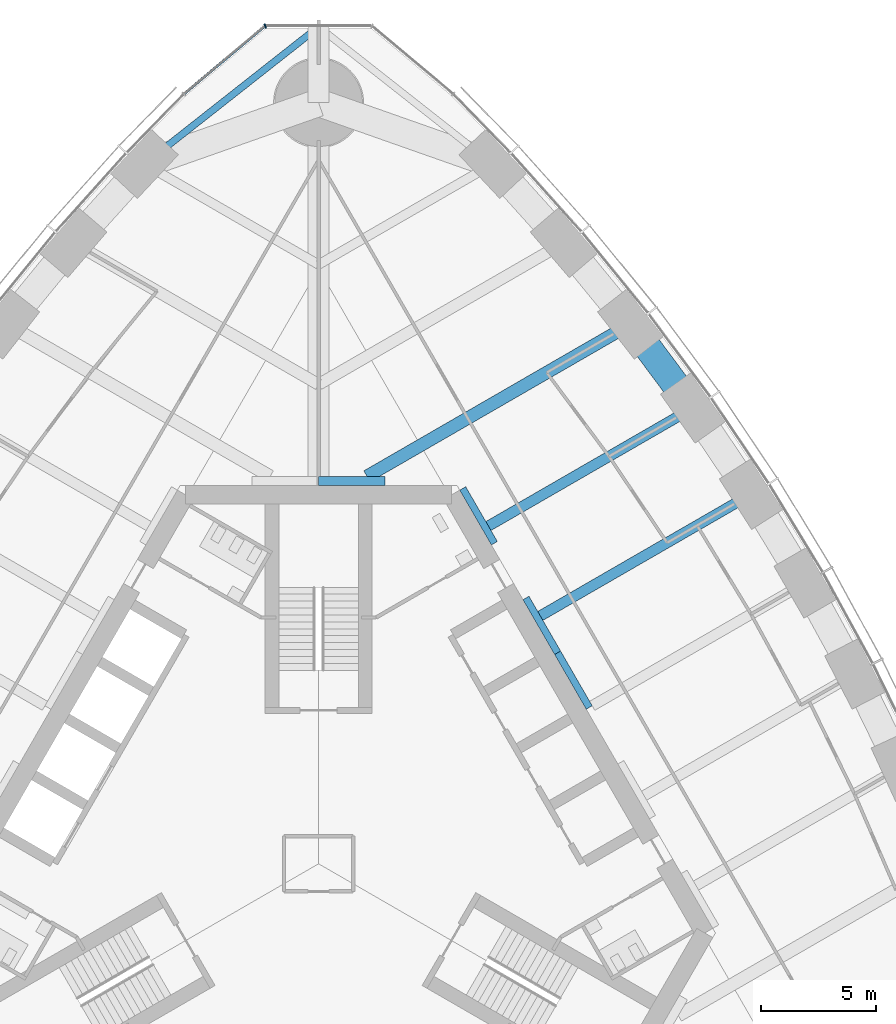
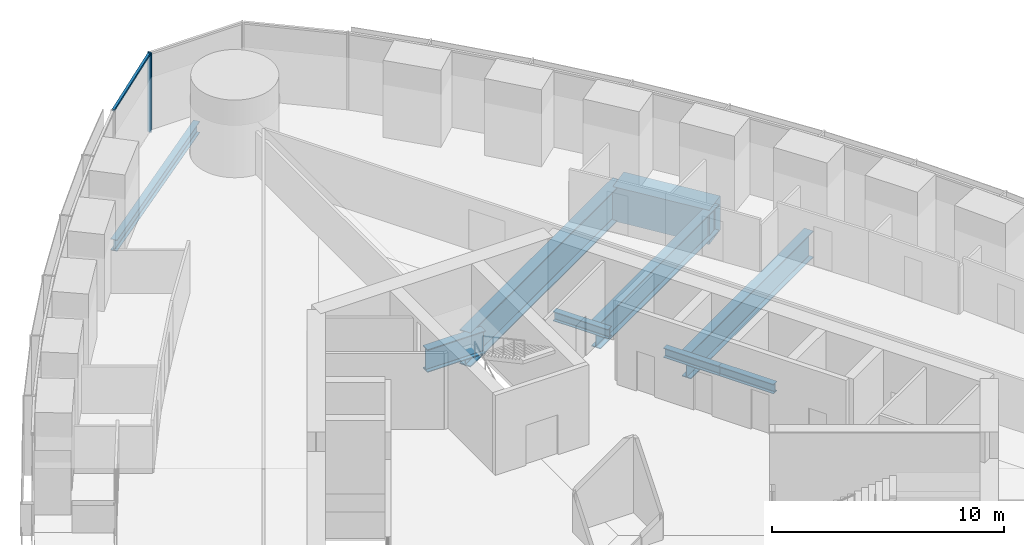
# One storey, part 6 of 19: 9 beams, 2 members, 1 element without a shape of its own.
"""IFC4 building model written with IfcOpenShell, lengths in metres."""

from ifc_helpers import new_model, si_unit, direction, frame, origin, origin_2d, place, context, subcontext, project, spatial, rectangle, i_section, extrude, material, material_profile, profile_set, type_object, element, aggregate, save


model = new_model("IFC4")

# Units and contexts
model_context = context("Model", 3, precision=1e-05, world=origin(), true_north=direction((0.0, 1.0)))
body_context = subcontext(model_context, "Body", "Model", "MODEL_VIEW")
ifc_project = project(units=[si_unit("LENGTHUNIT", "METRE"), si_unit("AREAUNIT", "SQUARE_METRE"), si_unit("VOLUMEUNIT", "CUBIC_METRE"), si_unit("PLANEANGLEUNIT", "RADIAN"), si_unit("MASSUNIT", "GRAM", prefix="KILO")], contexts=[model_context])

# Site, building, storey
site_placement = place(None, origin())
site = spatial("IfcSite", under=ifc_project, at=site_placement, CompositionType="ELEMENT")
building_placement = place(site_placement, origin())
building = spatial("IfcBuilding", under=site, at=building_placement, Name="Trefoil Bronze Tower", CompositionType="ELEMENT")
storey_placement = place(building_placement, frame((0.0, 0.0, 189.699951171875)))
storey = spatial("IfcBuildingStorey", under=building, at=storey_placement, Name="L43", CompositionType="ELEMENT", Elevation=189.699951171875)

# Curtain wall, members
ifc_material_1 = material(Name="Tinted solar-control glass", Category="glass")
curtain_wall_type = type_object("IfcCurtainWallType", Name="Bronze rounded corner curtain wall", PredefinedType="USERDEFINED", material=ifc_material_1)
curtain_wall_placement = place(storey_placement, origin())
curtain_wall = element("IfcCurtainWall", 1, at=curtain_wall_placement, inside=storey, type_object=curtain_wall_type, Name="CW-B L43 K2", ObjectType="CURTAIN WALL", PredefinedType="USERDEFINED")
ifc_material_2 = material(Name="Bronze-finish aluminium", Category="aluminium")
ifc_material_profile_1 = material_profile(ifc_material_2, rectangle(XDim=0.199951171875, YDim=0.06005859375, at=origin_2d()), Name="CW-B mullion")
ifc_profile_set_1 = profile_set([ifc_material_profile_1], Name="Bronze-finish aluminium")
member_type_1 = type_object("IfcMemberType", Name="Bronze rounded corner curtain wall mullion", PredefinedType="MULLION", material=ifc_profile_set_1)
member_1_placement = place(storey_placement, frame((-2.314453125, 36.326416015625, 0.0), z_axis=(0.0, 0.0, 1.0), x_axis=(0.342020143326, -0.939692620786, 0.0)))
member_1 = element("IfcMember", 2, at=member_1_placement, type_object=member_type_1, Name="CW-B L43 K2 mullion 3", PredefinedType="MULLION", context=body_context, shape_type="SweptSolid", body=[
    extrude(rectangle(XDim=0.199951171875, YDim=0.06005859375, at=origin_2d()), origin(), (0.0, 0.0, 1.0), 4.179931640625),
])
ifc_material_3 = material(Name="Bronze-finish aluminium", Category="aluminium")
ifc_material_profile_2 = material_profile(ifc_material_3, rectangle(XDim=0.1201171875, YDim=0.10009765625, at=origin_2d()), Name="CW-B transom")
ifc_profile_set_2 = profile_set([ifc_material_profile_2], Name="Bronze-finish aluminium")
member_type_2 = type_object("IfcMemberType", Name="Bronze rounded corner curtain wall transom", PredefinedType="USERDEFINED", material=ifc_profile_set_2)
member_2_placement = place(storey_placement, frame((-2.367431640625, 36.289794921875, 4.130126953125), z_axis=(-0.766046761698, -0.642784846501, 0.0), x_axis=(0.642784846501, -0.766046761698, 0.0)))
member_2 = element("IfcMember", 3, at=member_2_placement, type_object=member_type_2, Name="CW-B L43 K2 transom 3", ObjectType="TRANSOM", PredefinedType="USERDEFINED", context=body_context, shape_type="SweptSolid", body=[
    extrude(rectangle(XDim=0.1201171875, YDim=0.10009765625, at=origin_2d()), origin(), (0.0, 0.0, 1.0), 4.5),
])
aggregate(curtain_wall, [member_1, member_2])

# Beams
ifc_material_4 = material(Name="Steel C355", Category="steel")
ifc_material_profile_3 = material_profile(ifc_material_4, i_section(OverallWidth=0.300048828125, OverallDepth=0.5, WebThickness=0.014404296875, FlangeThickness=0.028076171875, FilletRadius=0.027099609375, at=origin_2d()), Name="HEB 500")
ifc_profile_set_3 = profile_set([ifc_material_profile_3], Name="Steel C355")
beam_type_1 = type_object("IfcBeamType", Name="Core seat beam HEB 500", PredefinedType="BEAM", material=ifc_profile_set_3)
for number, where, z_axis, x_axis, name in (
    (4, (11.734619140625, 6.77490234375, -0.449951171875), (-0.499969057507, 0.866043267704, 0.0), (-0.866043267704, -0.499969057507, 0.0), "Core seat beam F2/+0 L43"),
    (5, (10.363525390625, 9.14990234375, -0.449951171875), (-0.500035825175, 0.866004719122, 0.0), (-0.866004719122, -0.500035825175, 0.0), "Core seat beam F2/+1 L43"),
    (6, (7.62109375, 13.89990234375, -0.449951171875), (-0.500035825175, 0.866004719122, 0.0), (-0.866004719122, -0.500035825175, 0.0), "Core seat beam F2/+2 L43"),
):
    element("IfcBeam", number, at=place(storey_placement, frame(where, z_axis=z_axis, x_axis=x_axis)), inside=storey, type_object=beam_type_1, Name=name, PredefinedType="BEAM", context=body_context, shape_type="SweptSolid", body=[
        extrude(i_section(OverallWidth=0.300048828125, OverallDepth=0.5, WebThickness=0.014404296875, FlangeThickness=0.028076171875, FilletRadius=0.027099609375, at=origin_2d()), origin(), (0.0, 0.0, 1.0), 2.742431640625),
    ])
ifc_material_5 = material(Name="Steel C355", Category="steel")
ifc_material_profile_4 = material_profile(ifc_material_5, i_section(OverallWidth=0.39990234375, OverallDepth=1.199951171875, WebThickness=0.02001953125, FlangeThickness=0.0400390625, FilletRadius=0.010009765625, at=origin_2d()), Name="WPG 1200")
ifc_profile_set_4 = profile_set([ifc_material_profile_4], Name="Steel C355")
beam_type_2 = type_object("IfcBeamType", Name="Core seat beam WPG 1200", PredefinedType="BEAM", material=ifc_profile_set_4)
beam_1_placement = place(storey_placement, frame((2.88671875, 16.60009765625, -0.800048828125), z_axis=(-1.0, 0.0, 0.0), x_axis=(0.0, -1.0, 0.0)))
element("IfcBeam", 7, at=beam_1_placement, inside=storey, type_object=beam_type_2, Name="Core seat beam F2/+3 L43", PredefinedType="BEAM", context=body_context, shape_type="SweptSolid", body=[
    extrude(i_section(OverallWidth=0.39990234375, OverallDepth=1.199951171875, WebThickness=0.02001953125, FlangeThickness=0.0400390625, FilletRadius=0.010009765625, at=origin_2d()), origin(), (0.0, 0.0, 1.0), 2.88671875),
])
ifc_material_6 = material(Name="Steel C355", Category="steel")
ifc_material_profile_5 = material_profile(ifc_material_6, i_section(OverallWidth=0.300048828125, OverallDepth=0.60009765625, WebThickness=0.015380859375, FlangeThickness=0.030029296875, FilletRadius=0.027099609375, at=origin_2d()), Name="HEB 600")
ifc_profile_set_5 = profile_set([ifc_material_profile_5], Name="Steel C355")
beam_type_3 = type_object("IfcBeamType", Name="Corner edge beam HEB 600", PredefinedType="BEAM", material=ifc_profile_set_5)
beam_2_placement = place(storey_placement, frame((-7.552001953125, 30.3408203125, -0.5), z_axis=(0.785805912008, 0.618473175371, 0.0), x_axis=(-0.618473175371, 0.785805912008, 0.0)))
element("IfcBeam", 8, at=beam_2_placement, inside=storey, type_object=beam_type_3, Name="Corner edge beam F3B L43", PredefinedType="BEAM", context=body_context, shape_type="SweptSolid", body=[
    extrude(i_section(OverallWidth=0.300048828125, OverallDepth=0.60009765625, WebThickness=0.015380859375, FlangeThickness=0.030029296875, FilletRadius=0.027099609375, at=origin_2d()), origin(), (0.0, 0.0, 1.0), 9.610595703125),
])
ifc_material_7 = material(Name="Steel C355", Category="steel")
ifc_material_profile_6 = material_profile(ifc_material_7, i_section(OverallWidth=0.449951171875, OverallDepth=1.39990234375, WebThickness=0.02294921875, FlangeThickness=0.044921875, FilletRadius=0.011962890625, at=origin_2d()), Name="WPG 1400")
ifc_profile_set_6 = profile_set([ifc_material_profile_6], Name="Steel C355")
beam_type_4 = type_object("IfcBeamType", Name="Floor beam WPG 1400", PredefinedType="BEAM", material=ifc_profile_set_6)
beam_3_placement = place(storey_placement, frame((18.748046875, 16.020263671875, -0.89990234375), z_axis=(-0.866027918957, -0.499995643569, 0.0), x_axis=(0.499995643569, -0.866027918957, 0.0)))
element("IfcBeam", 9, at=beam_3_placement, inside=storey, type_object=beam_type_4, Name="Floor beam F2/+1 L43", PredefinedType="BEAM", context=body_context, shape_type="SweptSolid", body=[
    extrude(i_section(OverallWidth=0.449951171875, OverallDepth=1.39990234375, WebThickness=0.02294921875, FlangeThickness=0.044921875, FilletRadius=0.011962890625, at=origin_2d()), origin(), (0.0, 0.0, 1.0), 10.54638671875),
])
beam_4_placement = place(storey_placement, frame((16.2265625, 19.7607421875, -0.89990234375), z_axis=(-0.866027856548, -0.499995751665, 0.0), x_axis=(0.499995751665, -0.866027856548, 0.0)))
element("IfcBeam", 10, at=beam_4_placement, inside=storey, type_object=beam_type_4, Name="Floor beam F2/+2 L43", PredefinedType="BEAM", context=body_context, shape_type="SweptSolid", body=[
    extrude(i_section(OverallWidth=0.449951171875, OverallDepth=1.39990234375, WebThickness=0.02294921875, FlangeThickness=0.044921875, FilletRadius=0.011962890625, at=origin_2d()), origin(), (0.0, 0.0, 1.0), 10.23291015625),
])
ifc_material_8 = material(Name="Steel C355", Category="steel")
ifc_material_profile_7 = material_profile(ifc_material_8, i_section(OverallWidth=0.550048828125, OverallDepth=1.800048828125, WebThickness=0.029052734375, FlangeThickness=0.054931640625, FilletRadius=0.013916015625, at=origin_2d()), Name="WPG 1800")
ifc_profile_set_7 = profile_set([ifc_material_profile_7], Name="Steel C355")
beam_type_5 = type_object("IfcBeamType", Name="Floor beam WPG 1800", PredefinedType="BEAM", material=ifc_profile_set_7)
beam_5_placement = place(storey_placement, frame((13.522216796875, 23.3955078125, -1.099853515625), z_axis=(-0.866028399451, -0.499994811317, 0.0), x_axis=(0.499994811317, -0.866028399451, 0.0)))
element("IfcBeam", 11, at=beam_5_placement, inside=storey, type_object=beam_type_5, Name="Floor beam F2/+3 L43", PredefinedType="BEAM", context=body_context, shape_type="SweptSolid", body=[
    extrude(i_section(OverallWidth=0.550048828125, OverallDepth=1.800048828125, WebThickness=0.029052734375, FlangeThickness=0.054931640625, FilletRadius=0.013916015625, at=origin_2d()), origin(), (0.0, 0.0, 1.0), 13.191162109375),
])
ifc_material_9 = material(Name="Concrete B80", Category="concrete")
ifc_material_profile_8 = material_profile(ifc_material_9, rectangle(XDim=1.199951171875, YDim=1.800048828125, at=origin_2d()), Name="RC 1200x1800")
ifc_profile_set_8 = profile_set([ifc_material_profile_8], Name="Concrete B80")
beam_type_6 = type_object("IfcBeamType", Name="Spandrel beam RC 1200x1800", PredefinedType="SPANDREL", material=ifc_profile_set_8)
beam_6_placement = place(storey_placement, frame((16.2265625, 19.7607421875, -1.099853515625), z_axis=(-0.596926078257, 0.802296240236, 0.0), x_axis=(-0.802296240236, -0.596926078257, 0.0)))
element("IfcBeam", 12, at=beam_6_placement, inside=storey, type_object=beam_type_6, Name="Spandrel F2.9 L43", PredefinedType="SPANDREL", context=body_context, shape_type="SweptSolid", body=[
    extrude(rectangle(XDim=1.199951171875, YDim=1.800048828125, at=origin_2d()), origin(), (0.0, 0.0, 1.0), 4.530517578125),
])

save(model, "model.ifc")
